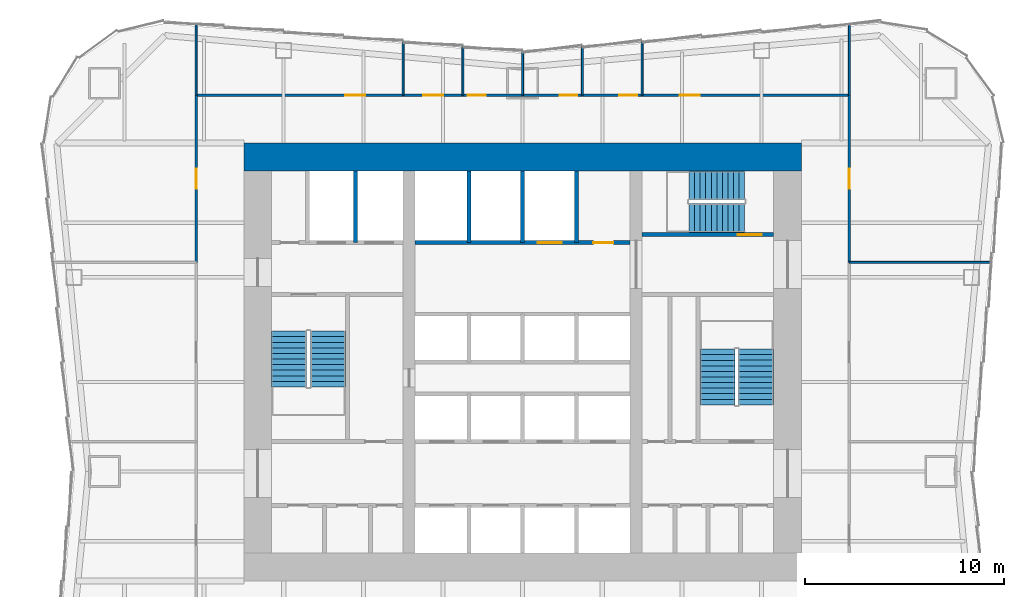
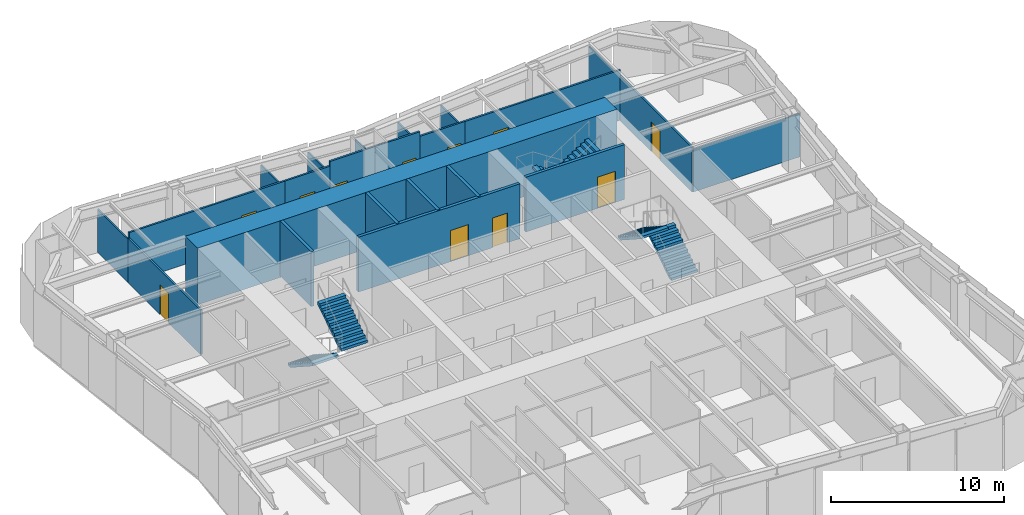
# One storey, part 6 of 8: 23 walls, 11 doors, 6 stair flights, 11 openings, 3 elements without a shape of their own.
"""IFC4 building model written with IfcOpenShell, lengths in metres."""

from ifc_helpers import new_model, si_unit, direction, frame, frame_2d, origin, place, context, subcontext, project, spatial, polyline, rectangle, outline, extrude, material, layer, layer_set, type_object, element, fill, aggregate, save


model = new_model("IFC4")

# Units and contexts
model_context = context("Model", 3, precision=1e-05, world=origin(), true_north=direction((0.0, 1.0)))
body_context = subcontext(model_context, "Body", "Model", "MODEL_VIEW")
ifc_project = project(units=[si_unit("LENGTHUNIT", "METRE"), si_unit("AREAUNIT", "SQUARE_METRE"), si_unit("VOLUMEUNIT", "CUBIC_METRE"), si_unit("PLANEANGLEUNIT", "RADIAN"), si_unit("MASSUNIT", "GRAM", prefix="KILO")], contexts=[model_context])

# Site, building, storey
site_placement = place(None, origin())
site = spatial("IfcSite", under=ifc_project, at=site_placement, CompositionType="ELEMENT")
building_placement = place(site_placement, origin())
building = spatial("IfcBuilding", under=site, at=building_placement, Name="Verdant Reach Tower", CompositionType="ELEMENT")
storey_placement = place(building_placement, frame((0.0, 0.0, 46.0)))
storey = spatial("IfcBuildingStorey", under=building, at=storey_placement, Name="L10", CompositionType="ELEMENT", Elevation=46.0)

# Wall, openings, doors
ifc_material_1 = material(Name="Concrete C40/50", Category="concrete")
ifc_layer_1 = layer(ifc_material_1, 0.199951171875)
ifc_layer_set_1 = layer_set([ifc_layer_1], Name="CO-WALL-SHAFT")
wall_type_1 = type_object("IfcWallType", Name="CO-WALL-SHAFT", PredefinedType="PARTITIONING", material=ifc_layer_set_1)
wall_1_placement = place(storey_placement, frame((-5.39990234375, 34.0, 0.0), z_axis=(0.0, 0.0, 1.0), x_axis=(1.0, 0.0, 0.0)))
wall_1 = element("IfcWall", 1, at=wall_1_placement, inside=storey, type_object=wall_type_1, Name="Lift shaft wall, L10", PredefinedType="PARTITIONING", context=body_context, shape_type="SweptSolid", body=[
    extrude(rectangle(XDim=10.7998046875, YDim=0.199951171875, at=frame_2d((5.39990234375, 0.0))), origin(), (0.0, 0.0, 1.0), 3.8701171875),
])
opening_1_placement = place(wall_1_placement, frame((6.14990234375, 0.0, 0.0)))
opening_1 = element("IfcOpeningElement", 2, at=opening_1_placement, cuts=wall_1, Name="Opening LD-SL1", PredefinedType="OPENING", context=body_context, shape_type="SweptSolid", body=[
    extrude(rectangle(XDim=1.199951171875, YDim=2.199951171875, at=frame_2d((0.60009765625, 1.10009765625))), frame((0.0, 0.10986328125, 0.0), z_axis=(0.0, -1.0, 0.0), x_axis=(1.0, 0.0, 0.0)), (0.0, 0.0, 1.0), 0.219970703125),
])
opening_2_placement = place(wall_1_placement, frame((8.949951171875, 0.0, 0.0)))
opening_2 = element("IfcOpeningElement", 3, at=opening_2_placement, cuts=wall_1, Name="Opening CD", PredefinedType="OPENING", context=body_context, shape_type="SweptSolid", body=[
    extrude(rectangle(XDim=1.0, YDim=2.10009765625, at=frame_2d((0.5, 1.050048828125))), frame((0.0, 0.10986328125, 0.0), z_axis=(0.0, -1.0, 0.0), x_axis=(1.0, 0.0, 0.0)), (0.0, 0.0, 1.0), 0.219970703125),
])
ifc_material_2 = material(Name="Stainless steel", Category="steel")
door_type_1 = type_object("IfcDoorType", Name="CO-DOOR-LANDING", OperationType="SLIDING_TO_LEFT", PredefinedType="DOOR", material=ifc_material_2)
door_1_placement = place(opening_1_placement, origin())
door_1 = element("IfcDoor", 4, at=door_1_placement, inside=storey, type_object=door_type_1, Name="Landing door SL1, L10", OperationType="SLIDING_TO_LEFT", OverallHeight=2.199951171875, OverallWidth=1.199951171875, PredefinedType="DOOR", context=body_context, shape_type="SweptSolid", body=[
    extrude(rectangle(XDim=1.199951171875, YDim=2.199951171875, at=frame_2d((0.60009765625, 1.10009765625))), frame((0.0, 0.02490234375, 0.0), z_axis=(0.0, -1.0, 0.0), x_axis=(1.0, 0.0, 0.0)), (0.0, 0.0, 1.0), 0.050048828125),
])
fill(opening_1, door_1)
ifc_material_3 = material(Name="Timber", Category="wood")
door_type_2 = type_object("IfcDoorType", Name="CO-DOOR-ROOM", OperationType="NOTDEFINED", PredefinedType="DOOR", material=ifc_material_3)
door_2_placement = place(opening_2_placement, origin())
door_2 = element("IfcDoor", 5, at=door_2_placement, inside=storey, type_object=door_type_2, Name="Core room door, L10", OperationType="SINGLE_SWING_LEFT", OverallHeight=2.10009765625, OverallWidth=1.0, PredefinedType="DOOR", context=body_context, shape_type="SweptSolid", body=[
    extrude(rectangle(XDim=1.0, YDim=2.10009765625, at=frame_2d((0.5, 1.050048828125))), frame((0.0, 0.02490234375, 0.0), z_axis=(0.0, -1.0, 0.0), x_axis=(1.0, 0.0, 0.0)), (0.0, 0.0, 1.0), 0.050048828125),
])
fill(opening_2, door_2)

# Walls
for number, where, z_axis, x_axis, name in (
    (6, (-8.39990234375, 34.0, 0.0), (0.0, 0.0, 1.0), (0.0, 1.0, 0.0), "Lift shaft wall, L10"),
    (7, (-2.699951171875, 34.0, 0.0), (0.0, 0.0, 1.0), (0.0, 1.0, 0.0), "Lift shaft wall, L10"),
    (8, (0.0, 34.0, 0.0), (0.0, 0.0, 1.0), (0.0, 1.0, 0.0), "Lift shaft wall, L10"),
    (9, (2.699951171875, 34.0, 0.0), (0.0, 0.0, 1.0), (0.0, 1.0, 0.0), "Lift shaft wall, L10"),
):
    element("IfcWall", number, at=place(storey_placement, frame(where, z_axis=z_axis, x_axis=x_axis)), inside=storey, type_object=wall_type_1, Name=name, PredefinedType="PARTITIONING", context=body_context, shape_type="SweptSolid", body=[
        extrude(rectangle(XDim=3.60009765625, YDim=0.199951171875, at=frame_2d((1.800048828125, 0.0))), origin(), (0.0, 0.0, 1.0), 3.8701171875),
    ])

# Wall, opening, door
ifc_layer_2 = layer(ifc_material_1, 0.199951171875)
ifc_layer_set_2 = layer_set([ifc_layer_2], Name="CO-WALL-STAIR")
wall_type_2 = type_object("IfcWallType", Name="CO-WALL-STAIR", PredefinedType="PARTITIONING", material=ifc_layer_set_2)
wall_2_placement = place(storey_placement, frame((6.0, 34.39990234375, 0.0), z_axis=(0.0, 0.0, 1.0), x_axis=(1.0, 0.0, 0.0)))
wall_2 = element("IfcWall", 10, at=wall_2_placement, inside=storey, type_object=wall_type_2, Name="Stair enclosure wall, L10", PredefinedType="PARTITIONING", context=body_context, shape_type="SweptSolid", body=[
    extrude(rectangle(XDim=6.60009765625, YDim=0.199951171875, at=frame_2d((3.300048828125, 0.0))), origin(), (0.0, 0.0, 1.0), 3.8701171875),
])
opening_3_placement = place(wall_2_placement, frame((4.800048828125, 0.0, 0.0)))
opening_3 = element("IfcOpeningElement", 11, at=opening_3_placement, cuts=wall_2, Name="Opening SD", PredefinedType="OPENING", context=body_context, shape_type="SweptSolid", body=[
    extrude(rectangle(XDim=1.199951171875, YDim=2.199951171875, at=frame_2d((0.60009765625, 1.10009765625))), frame((0.0, 0.10986328125, 0.0), z_axis=(0.0, -1.0, 0.0), x_axis=(1.0, 0.0, 0.0)), (0.0, 0.0, 1.0), 0.219970703125),
])
ifc_material_4 = material(Name="Steel", Category="steel")
door_type_3 = type_object("IfcDoorType", Name="CO-DOOR-STAIR", OperationType="NOTDEFINED", PredefinedType="DOOR", material=ifc_material_4)
door_3_placement = place(opening_3_placement, origin())
door_3 = element("IfcDoor", 12, at=door_3_placement, inside=storey, type_object=door_type_3, Name="Stair door, L10", OperationType="SINGLE_SWING_RIGHT", OverallHeight=2.199951171875, OverallWidth=1.199951171875, PredefinedType="DOOR", context=body_context, shape_type="SweptSolid", body=[
    extrude(rectangle(XDim=1.199951171875, YDim=2.199951171875, at=frame_2d((0.60009765625, 1.10009765625))), frame((0.0, 0.02490234375, 0.0), z_axis=(0.0, -1.0, 0.0), x_axis=(1.0, 0.0, 0.0)), (0.0, 0.0, 1.0), 0.050048828125),
])
fill(opening_3, door_3)

# Walls
ifc_material_5 = material(Name="Gypsum board on steel studs", Category="steel")
ifc_layer_3 = layer(ifc_material_5, 0.10009765625)
ifc_layer_set_3 = layer_set([ifc_layer_3], Name="FL-W1 Partition 100")
wall_type_3 = type_object("IfcWallType", Name="FL-W1 Partition 100", PredefinedType="PARTITIONING", material=ifc_layer_set_3)
wall_3_placement = place(storey_placement, frame((-6.0, 41.39990234375, 0.0), z_axis=(0.0, 0.0, 1.0), x_axis=(0.0, 1.0, 0.0)))
element("IfcWall", 13, at=wall_3_placement, inside=storey, type_object=wall_type_3, Name="Partition 10.37", PredefinedType="PARTITIONING", context=body_context, shape_type="SweptSolid", body=[
    extrude(rectangle(XDim=2.68017578125, YDim=0.10009765625, at=frame_2d((1.340087890625, 0.0))), origin(), (0.0, 0.0, 1.0), 3.0400390625),
])
wall_4_placement = place(storey_placement, frame((-16.39990234375, 44.94677734375, 0.0), z_axis=(0.0, 0.0, 1.0), x_axis=(0.0, -1.0, 0.0)))
element("IfcWall", 14, at=wall_4_placement, inside=storey, type_object=wall_type_3, Name="Partition 10.38", PredefinedType="PARTITIONING", context=body_context, shape_type="SweptSolid", body=[
    extrude(rectangle(XDim=3.55078125, YDim=0.10009765625, at=frame_2d((1.775390625, 0.0))), origin(), (0.0, 0.0, 1.0), 3.0400390625),
])
wall_5_placement = place(storey_placement, frame((-3.0, 41.39990234375, 0.0), z_axis=(0.0, 0.0, 1.0), x_axis=(0.0, 1.0, 0.0)))
element("IfcWall", 15, at=wall_5_placement, inside=storey, type_object=wall_type_3, Name="Partition 10.39", PredefinedType="PARTITIONING", context=body_context, shape_type="SweptSolid", body=[
    extrude(rectangle(XDim=2.43017578125, YDim=0.10009765625, at=frame_2d((1.215087890625, 0.0))), origin(), (0.0, 0.0, 1.0), 3.0400390625),
])
wall_6_placement = place(storey_placement, frame((0.0, 41.39990234375, 0.0), z_axis=(0.0, 0.0, 1.0), x_axis=(0.0, 1.0, 0.0)))
element("IfcWall", 16, at=wall_6_placement, inside=storey, type_object=wall_type_3, Name="Partition 10.40", PredefinedType="PARTITIONING", context=body_context, shape_type="SweptSolid", body=[
    extrude(rectangle(XDim=2.18017578125, YDim=0.10009765625, at=frame_2d((1.090087890625, 0.0))), origin(), (0.0, 0.0, 1.0), 3.0400390625),
])
wall_7_placement = place(storey_placement, frame((3.0, 41.39990234375, 0.0), z_axis=(0.0, 0.0, 1.0), x_axis=(0.0, 1.0, 0.0)))
element("IfcWall", 17, at=wall_7_placement, inside=storey, type_object=wall_type_3, Name="Partition 10.41", PredefinedType="PARTITIONING", context=body_context, shape_type="SweptSolid", body=[
    extrude(rectangle(XDim=2.43017578125, YDim=0.10009765625, at=frame_2d((1.215087890625, 0.0))), origin(), (0.0, 0.0, 1.0), 3.0400390625),
])
wall_8_placement = place(storey_placement, frame((6.0, 41.39990234375, 0.0), z_axis=(0.0, 0.0, 1.0), x_axis=(0.0, 1.0, 0.0)))
element("IfcWall", 18, at=wall_8_placement, inside=storey, type_object=wall_type_3, Name="Partition 10.42", PredefinedType="PARTITIONING", context=body_context, shape_type="SweptSolid", body=[
    extrude(rectangle(XDim=2.68017578125, YDim=0.10009765625, at=frame_2d((1.340087890625, 0.0))), origin(), (0.0, 0.0, 1.0), 3.0400390625),
])
wall_9_placement = place(storey_placement, frame((16.39990234375, 41.39599609375, 0.0), z_axis=(0.0, 0.0, 1.0), x_axis=(0.0, 1.0, 0.0)))
element("IfcWall", 19, at=wall_9_placement, inside=storey, type_object=wall_type_3, Name="Partition 10.43", PredefinedType="PARTITIONING", context=body_context, shape_type="SweptSolid", body=[
    extrude(rectangle(XDim=3.55078125, YDim=0.10009765625, at=frame_2d((1.775390625, 0.0))), origin(), (0.0, 0.0, 1.0), 3.0400390625),
])
wall_10_placement = place(storey_placement, frame((23.534423828125, 33.0, 0.0), z_axis=(0.0, 0.0, 1.0), x_axis=(-1.0, 0.0, 0.0)))
element("IfcWall", 20, at=wall_10_placement, inside=storey, type_object=wall_type_3, Name="Partition 10.47", PredefinedType="PARTITIONING", context=body_context, shape_type="SweptSolid", body=[
    extrude(rectangle(XDim=7.134521484375, YDim=0.10009765625, at=frame_2d((3.5673828125, 0.0))), origin(), (0.0, 0.0, 1.0), 3.0400390625),
])

# Wall, opening, door
ifc_material_6 = material(Name="Gypsum board on steel studs, fire rated", Category="steel")
ifc_layer_4 = layer(ifc_material_6, 0.125)
ifc_layer_set_4 = layer_set([ifc_layer_4], Name="FL-W2 Corridor wall 125")
wall_type_4 = type_object("IfcWallType", Name="FL-W2 Corridor wall 125", PredefinedType="PARTITIONING", material=ifc_layer_set_4)
wall_11_placement = place(storey_placement, frame((-16.39990234375, 41.39990234375, 0.0), z_axis=(0.0, 0.0, 1.0), x_axis=(1.0, 0.0, 0.0)))
wall_11 = element("IfcWall", 21, at=wall_11_placement, inside=storey, type_object=wall_type_4, Name="Partition 10.07", PredefinedType="PARTITIONING", context=body_context, shape_type="SweptSolid", body=[
    extrude(rectangle(XDim=10.39990234375, YDim=0.125, at=frame_2d((5.199951171875, 0.0))), origin(), (0.0, 0.0, 1.0), 3.5400390625),
])
opening_4_placement = place(wall_11_placement, frame((7.5, 0.0, 0.0)))
opening_4 = element("IfcOpeningElement", 22, at=opening_4_placement, cuts=wall_11, Name="Opening D2", PredefinedType="OPENING", context=body_context, shape_type="SweptSolid", body=[
    extrude(rectangle(XDim=1.0, YDim=2.10009765625, at=frame_2d((0.5, 1.050048828125))), frame((0.0, 0.072509765625, 0.0), z_axis=(0.0, -1.0, 0.0), x_axis=(1.0, 0.0, 0.0)), (0.0, 0.0, 1.0), 0.14501953125),
])
ifc_material_7 = material(Name="Timber door leaf, fire rated", Category="wood")
door_type_4 = type_object("IfcDoorType", Name="FL-D2 Entrance door 1000x2100 FD30", OperationType="NOTDEFINED", PredefinedType="DOOR", material=ifc_material_7)
door_4_placement = place(opening_4_placement, origin())
door_4 = element("IfcDoor", 23, at=door_4_placement, inside=storey, type_object=door_type_4, Name="Door 10-005", OperationType="SINGLE_SWING_RIGHT", OverallHeight=2.10009765625, OverallWidth=1.0, PredefinedType="DOOR", context=body_context, shape_type="SweptSolid", body=[
    extrude(rectangle(XDim=1.0, YDim=2.10009765625, at=frame_2d((0.5, 1.050048828125))), frame((0.0, 0.02490234375, 0.0), z_axis=(0.0, -1.0, 0.0), x_axis=(1.0, 0.0, 0.0)), (0.0, 0.0, 1.0), 0.050048828125),
])
fill(opening_4, door_4)

wall_12_placement = place(storey_placement, frame((-6.0, 41.39990234375, 0.0), z_axis=(0.0, 0.0, 1.0), x_axis=(1.0, 0.0, 0.0)))
wall_12 = element("IfcWall", 24, at=wall_12_placement, inside=storey, type_object=wall_type_4, Name="Partition 10.08", PredefinedType="PARTITIONING", context=body_context, shape_type="SweptSolid", body=[
    extrude(rectangle(XDim=3.0, YDim=0.125, at=frame_2d((1.5, 0.0))), origin(), (0.0, 0.0, 1.0), 3.5400390625),
])
opening_5_placement = place(wall_12_placement, frame((1.0, 0.0, 0.0)))
opening_5 = element("IfcOpeningElement", 25, at=opening_5_placement, cuts=wall_12, Name="Opening D2", PredefinedType="OPENING", context=body_context, shape_type="SweptSolid", body=[
    extrude(rectangle(XDim=1.0, YDim=2.10009765625, at=frame_2d((0.5, 1.050048828125))), frame((0.0, 0.072509765625, 0.0), z_axis=(0.0, -1.0, 0.0), x_axis=(1.0, 0.0, 0.0)), (0.0, 0.0, 1.0), 0.14501953125),
])
door_5_placement = place(opening_5_placement, origin())
door_5 = element("IfcDoor", 26, at=door_5_placement, inside=storey, type_object=door_type_4, Name="Door 10-006", OperationType="SINGLE_SWING_RIGHT", OverallHeight=2.10009765625, OverallWidth=1.0, PredefinedType="DOOR", context=body_context, shape_type="SweptSolid", body=[
    extrude(rectangle(XDim=1.0, YDim=2.10009765625, at=frame_2d((0.5, 1.050048828125))), frame((0.0, 0.02490234375, 0.0), z_axis=(0.0, -1.0, 0.0), x_axis=(1.0, 0.0, 0.0)), (0.0, 0.0, 1.0), 0.050048828125),
])
fill(opening_5, door_5)

wall_13_placement = place(storey_placement, frame((-3.0, 41.39990234375, 0.0), z_axis=(0.0, 0.0, 1.0), x_axis=(1.0, 0.0, 0.0)))
wall_13 = element("IfcWall", 27, at=wall_13_placement, inside=storey, type_object=wall_type_4, Name="Partition 10.09", PredefinedType="PARTITIONING", context=body_context, shape_type="SweptSolid", body=[
    extrude(rectangle(XDim=3.0, YDim=0.125, at=frame_2d((1.5, 0.0))), origin(), (0.0, 0.0, 1.0), 3.8701171875),
])
opening_6_placement = place(wall_13_placement, frame((0.25, 0.0, 0.0)))
opening_6 = element("IfcOpeningElement", 28, at=opening_6_placement, cuts=wall_13, Name="Opening D1", PredefinedType="OPENING", context=body_context, shape_type="SweptSolid", body=[
    extrude(rectangle(XDim=0.89990234375, YDim=2.10009765625, at=frame_2d((0.449951171875, 1.050048828125))), frame((0.0, 0.072509765625, 0.0), z_axis=(0.0, -1.0, 0.0), x_axis=(1.0, 0.0, 0.0)), (0.0, 0.0, 1.0), 0.14501953125),
])
ifc_material_8 = material(Name="Painted timber door leaf", Category="wood")
door_type_5 = type_object("IfcDoorType", Name="FL-D1 Door 900x2100", OperationType="NOTDEFINED", PredefinedType="DOOR", material=ifc_material_8)
door_6_placement = place(opening_6_placement, origin())
door_6 = element("IfcDoor", 29, at=door_6_placement, inside=storey, type_object=door_type_5, Name="Door 10-007", OperationType="SINGLE_SWING_LEFT", OverallHeight=2.10009765625, OverallWidth=0.89990234375, PredefinedType="DOOR", context=body_context, shape_type="SweptSolid", body=[
    extrude(rectangle(XDim=0.89990234375, YDim=2.10009765625, at=frame_2d((0.449951171875, 1.050048828125))), frame((0.0, 0.02490234375, 0.0), z_axis=(0.0, -1.0, 0.0), x_axis=(1.0, 0.0, 0.0)), (0.0, 0.0, 1.0), 0.050048828125),
])
fill(opening_6, door_6)

wall_14_placement = place(storey_placement, frame((0.0, 41.39990234375, 0.0), z_axis=(0.0, 0.0, 1.0), x_axis=(1.0, 0.0, 0.0)))
wall_14 = element("IfcWall", 30, at=wall_14_placement, inside=storey, type_object=wall_type_4, Name="Partition 10.10", PredefinedType="PARTITIONING", context=body_context, shape_type="SweptSolid", body=[
    extrude(rectangle(XDim=3.0, YDim=0.125, at=frame_2d((1.5, 0.0))), origin(), (0.0, 0.0, 1.0), 3.8701171875),
])
opening_7_placement = place(wall_14_placement, frame((1.85009765625, 0.0, 0.0)))
opening_7 = element("IfcOpeningElement", 31, at=opening_7_placement, cuts=wall_14, Name="Opening D1", PredefinedType="OPENING", context=body_context, shape_type="SweptSolid", body=[
    extrude(rectangle(XDim=0.89990234375, YDim=2.10009765625, at=frame_2d((0.449951171875, 1.050048828125))), frame((0.0, 0.072509765625, 0.0), z_axis=(0.0, -1.0, 0.0), x_axis=(1.0, 0.0, 0.0)), (0.0, 0.0, 1.0), 0.14501953125),
])
door_7_placement = place(opening_7_placement, origin())
door_7 = element("IfcDoor", 32, at=door_7_placement, inside=storey, type_object=door_type_5, Name="Door 10-008", OperationType="SINGLE_SWING_RIGHT", OverallHeight=2.10009765625, OverallWidth=0.89990234375, PredefinedType="DOOR", context=body_context, shape_type="SweptSolid", body=[
    extrude(rectangle(XDim=0.89990234375, YDim=2.10009765625, at=frame_2d((0.449951171875, 1.050048828125))), frame((0.0, 0.02490234375, 0.0), z_axis=(0.0, -1.0, 0.0), x_axis=(1.0, 0.0, 0.0)), (0.0, 0.0, 1.0), 0.050048828125),
])
fill(opening_7, door_7)

wall_15_placement = place(storey_placement, frame((3.0, 41.39990234375, 0.0), z_axis=(0.0, 0.0, 1.0), x_axis=(1.0, 0.0, 0.0)))
wall_15 = element("IfcWall", 33, at=wall_15_placement, inside=storey, type_object=wall_type_4, Name="Partition 10.11", PredefinedType="PARTITIONING", context=body_context, shape_type="SweptSolid", body=[
    extrude(rectangle(XDim=3.0, YDim=0.125, at=frame_2d((1.5, 0.0))), origin(), (0.0, 0.0, 1.0), 3.5400390625),
])
opening_8_placement = place(wall_15_placement, frame((1.85009765625, 0.0, 0.0)))
opening_8 = element("IfcOpeningElement", 34, at=opening_8_placement, cuts=wall_15, Name="Opening D1", PredefinedType="OPENING", context=body_context, shape_type="SweptSolid", body=[
    extrude(rectangle(XDim=0.89990234375, YDim=2.10009765625, at=frame_2d((0.449951171875, 1.050048828125))), frame((0.0, 0.072509765625, 0.0), z_axis=(0.0, -1.0, 0.0), x_axis=(1.0, 0.0, 0.0)), (0.0, 0.0, 1.0), 0.14501953125),
])
door_8_placement = place(opening_8_placement, origin())
door_8 = element("IfcDoor", 35, at=door_8_placement, inside=storey, type_object=door_type_5, Name="Door 10-009", OperationType="SINGLE_SWING_RIGHT", OverallHeight=2.10009765625, OverallWidth=0.89990234375, PredefinedType="DOOR", context=body_context, shape_type="SweptSolid", body=[
    extrude(rectangle(XDim=0.89990234375, YDim=2.10009765625, at=frame_2d((0.449951171875, 1.050048828125))), frame((0.0, 0.02490234375, 0.0), z_axis=(0.0, -1.0, 0.0), x_axis=(1.0, 0.0, 0.0)), (0.0, 0.0, 1.0), 0.050048828125),
])
fill(opening_8, door_8)

wall_16_placement = place(storey_placement, frame((6.0, 41.39990234375, 0.0), z_axis=(0.0, 0.0, 1.0), x_axis=(1.0, 0.0, 0.0)))
wall_16 = element("IfcWall", 36, at=wall_16_placement, inside=storey, type_object=wall_type_4, Name="Partition 10.12", PredefinedType="PARTITIONING", context=body_context, shape_type="SweptSolid", body=[
    extrude(rectangle(XDim=10.39990234375, YDim=0.125, at=frame_2d((5.199951171875, 0.0))), origin(), (0.0, 0.0, 1.0), 3.5400390625),
])
opening_9_placement = place(wall_16_placement, frame((1.89990234375, 0.0, 0.0)))
opening_9 = element("IfcOpeningElement", 37, at=opening_9_placement, cuts=wall_16, Name="Opening D2", PredefinedType="OPENING", context=body_context, shape_type="SweptSolid", body=[
    extrude(rectangle(XDim=1.0, YDim=2.10009765625, at=frame_2d((0.5, 1.050048828125))), frame((0.0, 0.072509765625, 0.0), z_axis=(0.0, -1.0, 0.0), x_axis=(1.0, 0.0, 0.0)), (0.0, 0.0, 1.0), 0.14501953125),
])
door_9_placement = place(opening_9_placement, origin())
door_9 = element("IfcDoor", 38, at=door_9_placement, inside=storey, type_object=door_type_4, Name="Door 10-010", OperationType="SINGLE_SWING_LEFT", OverallHeight=2.10009765625, OverallWidth=1.0, PredefinedType="DOOR", context=body_context, shape_type="SweptSolid", body=[
    extrude(rectangle(XDim=1.0, YDim=2.10009765625, at=frame_2d((0.5, 1.050048828125))), frame((0.0, 0.02490234375, 0.0), z_axis=(0.0, -1.0, 0.0), x_axis=(1.0, 0.0, 0.0)), (0.0, 0.0, 1.0), 0.050048828125),
])
fill(opening_9, door_9)

wall_17_placement = place(storey_placement, frame((-16.39990234375, 33.0, 0.0), z_axis=(0.0, 0.0, 1.0), x_axis=(0.0, 1.0, 0.0)))
wall_17 = element("IfcWall", 39, at=wall_17_placement, inside=storey, type_object=wall_type_4, Name="Partition 10.15", PredefinedType="PARTITIONING", context=body_context, shape_type="SweptSolid", body=[
    extrude(rectangle(XDim=8.404052734375, YDim=0.125, at=frame_2d((4.2021484375, 0.0))), origin(), (0.0, 0.0, 1.0), 3.139892578125),
])
opening_10_placement = place(wall_17_placement, frame((3.701904296875, 0.0, 0.0)))
opening_10 = element("IfcOpeningElement", 40, at=opening_10_placement, cuts=wall_17, Name="Opening D2", PredefinedType="OPENING", context=body_context, shape_type="SweptSolid", body=[
    extrude(rectangle(XDim=1.0, YDim=2.10009765625, at=frame_2d((0.5, 1.050048828125))), frame((0.0, 0.072509765625, 0.0), z_axis=(0.0, -1.0, 0.0), x_axis=(1.0, 0.0, 0.0)), (0.0, 0.0, 1.0), 0.14501953125),
])
door_10_placement = place(opening_10_placement, origin())
door_10 = element("IfcDoor", 41, at=door_10_placement, inside=storey, type_object=door_type_4, Name="Door 10-013", OperationType="SINGLE_SWING_LEFT", OverallHeight=2.10009765625, OverallWidth=1.0, PredefinedType="DOOR", context=body_context, shape_type="SweptSolid", body=[
    extrude(rectangle(XDim=1.0, YDim=2.10009765625, at=frame_2d((0.5, 1.050048828125))), frame((0.0, 0.02490234375, 0.0), z_axis=(0.0, -1.0, 0.0), x_axis=(1.0, 0.0, 0.0)), (0.0, 0.0, 1.0), 0.050048828125),
])
fill(opening_10, door_10)

wall_18_placement = place(storey_placement, frame((16.39990234375, 41.404052734375, 0.0), z_axis=(0.0, 0.0, 1.0), x_axis=(0.0, -1.0, 0.0)))
wall_18 = element("IfcWall", 42, at=wall_18_placement, inside=storey, type_object=wall_type_4, Name="Partition 10.18", PredefinedType="PARTITIONING", context=body_context, shape_type="SweptSolid", body=[
    extrude(rectangle(XDim=8.404052734375, YDim=0.125, at=frame_2d((4.2021484375, 0.0))), origin(), (0.0, 0.0, 1.0), 3.139892578125),
])
opening_11_placement = place(wall_18_placement, frame((3.701904296875, 0.0, 0.0)))
opening_11 = element("IfcOpeningElement", 43, at=opening_11_placement, cuts=wall_18, Name="Opening D2", PredefinedType="OPENING", context=body_context, shape_type="SweptSolid", body=[
    extrude(rectangle(XDim=1.0, YDim=2.10009765625, at=frame_2d((0.5, 1.050048828125))), frame((0.0, 0.072509765625, 0.0), z_axis=(0.0, -1.0, 0.0), x_axis=(1.0, 0.0, 0.0)), (0.0, 0.0, 1.0), 0.14501953125),
])
door_11_placement = place(opening_11_placement, origin())
door_11 = element("IfcDoor", 44, at=door_11_placement, inside=storey, type_object=door_type_4, Name="Door 10-016", OperationType="SINGLE_SWING_RIGHT", OverallHeight=2.10009765625, OverallWidth=1.0, PredefinedType="DOOR", context=body_context, shape_type="SweptSolid", body=[
    extrude(rectangle(XDim=1.0, YDim=2.10009765625, at=frame_2d((0.5, 1.050048828125))), frame((0.0, 0.02490234375, 0.0), z_axis=(0.0, -1.0, 0.0), x_axis=(1.0, 0.0, 0.0)), (0.0, 0.0, 1.0), 0.050048828125),
])
fill(opening_11, door_11)

# Wall
ifc_material_9 = material(Name="Concrete C70/85", Category="concrete")
ifc_layer_5 = layer(ifc_material_9, 1.39990234375)
ifc_layer_set_5 = layer_set([ifc_layer_5], Name="ST-CORE-WALL-1400")
wall_type_5 = type_object("IfcWallType", Name="ST-CORE-WALL-1400", PredefinedType="SHEAR", material=ifc_layer_set_5)
wall_19_placement = place(storey_placement, frame((-14.0, 38.300048828125, -0.1298828125), z_axis=(0.0, 0.0, 1.0), x_axis=(1.0, 0.0, 0.0)))
element("IfcWall", 45, at=wall_19_placement, inside=storey, type_object=wall_type_5, Name="Core wall N, L10", PredefinedType="SHEAR", context=body_context, shape_type="SweptSolid", body=[
    extrude(rectangle(XDim=28.0, YDim=1.39990234375, at=frame_2d((14.0, 0.0))), origin(), (0.0, 0.0, 1.0), 4.0),
])

# Stair, stair flights
stair_type = type_object("IfcStairType", Name="CO-STAIR", PredefinedType="HALF_TURN_STAIR", material=ifc_material_1)
stair_1_placement = place(storey_placement, origin())
stair_1 = element("IfcStair", 46, at=stair_1_placement, inside=storey, type_object=stair_type, Name="L10 Exit stair 1", PredefinedType="HALF_TURN_STAIR")
stair_flight_type = type_object("IfcStairFlightType", Name="CO-STAIR-FLIGHT", PredefinedType="STRAIGHT", material=ifc_material_1)
stair_flight_1_placement = place(storey_placement, frame((-11.72509765625, 29.550048828125, 0.0), z_axis=(0.0, 0.0, 1.0), x_axis=(0.0, -1.0, 0.0)))
stair_flight_1 = element("IfcStairFlight", 47, at=stair_flight_1_placement, type_object=stair_flight_type, Name="ST-1 flight 1", NumberOfRisers=11, NumberOfTreads=10, PredefinedType="STRAIGHT", RiserHeight=0.181818182, TreadLength=0.28, context=body_context, shape_type="SweptSolid", body=[
    extrude(outline(polyline([(0.0, 0.0), (0.0, 0.181884765625), (0.280029296875, 0.181884765625), (0.280029296875, 0.363525390625), (0.56005859375, 0.363525390625), (0.56005859375, 0.54541015625), (0.840087890625, 0.54541015625), (0.840087890625, 0.727294921875), (1.1201171875, 0.727294921875), (1.1201171875, 0.9091796875), (1.39990234375, 0.9091796875), (1.39990234375, 1.0908203125), (1.679931640625, 1.0908203125), (1.679931640625, 1.272705078125), (1.9599609375, 1.272705078125), (1.9599609375, 1.45458984375), (2.239990234375, 1.45458984375), (2.239990234375, 1.636474609375), (2.52001953125, 1.636474609375), (2.52001953125, 1.818115234375), (2.800048828125, 1.818115234375), (2.800048828125, 2.0), (2.800048828125, 1.639404296875), (0.275146484375, 0.0), (0.0, 0.0)])), frame((0.0, 0.875, 0.0), z_axis=(0.0, -1.0, 0.0), x_axis=(1.0, 0.0, 0.0)), (0.0, 0.0, 1.0), 1.75),
])
stair_flight_2_placement = place(storey_placement, frame((-9.77490234375, 26.75, 2.0), z_axis=(0.0, 0.0, 1.0), x_axis=(0.0, 1.0, 0.0)))
stair_flight_2 = element("IfcStairFlight", 48, at=stair_flight_2_placement, type_object=stair_flight_type, Name="ST-1 flight 2", NumberOfRisers=11, NumberOfTreads=10, PredefinedType="STRAIGHT", RiserHeight=0.181818182, TreadLength=0.28, context=body_context, shape_type="SweptSolid", body=[
    extrude(outline(polyline([(0.0, 0.0), (0.0, 0.181884765625), (0.280029296875, 0.181884765625), (0.280029296875, 0.363525390625), (0.56005859375, 0.363525390625), (0.56005859375, 0.54541015625), (0.840087890625, 0.54541015625), (0.840087890625, 0.727294921875), (1.1201171875, 0.727294921875), (1.1201171875, 0.9091796875), (1.39990234375, 0.9091796875), (1.39990234375, 1.0908203125), (1.679931640625, 1.0908203125), (1.679931640625, 1.272705078125), (1.9599609375, 1.272705078125), (1.9599609375, 1.45458984375), (2.239990234375, 1.45458984375), (2.239990234375, 1.636474609375), (2.52001953125, 1.636474609375), (2.52001953125, 1.818115234375), (2.800048828125, 1.818115234375), (2.800048828125, 2.0), (2.800048828125, 1.639404296875), (0.275146484375, 0.0), (0.0, 0.0)])), frame((0.0, 0.875, 0.0), z_axis=(0.0, -1.0, 0.0), x_axis=(1.0, 0.0, 0.0)), (0.0, 0.0, 1.0), 1.75),
])
aggregate(stair_1, [stair_flight_1, stair_flight_2])

stair_2_placement = place(storey_placement, origin())
stair_2 = element("IfcStair", 49, at=stair_2_placement, inside=storey, type_object=stair_type, Name="L10 Exit stair 2", PredefinedType="HALF_TURN_STAIR")
stair_flight_3_placement = place(storey_placement, frame((11.72509765625, 25.85009765625, 0.0), z_axis=(0.0, 0.0, 1.0), x_axis=(0.0, 1.0, 0.0)))
stair_flight_3 = element("IfcStairFlight", 50, at=stair_flight_3_placement, type_object=stair_flight_type, Name="ST-2 flight 1", NumberOfRisers=11, NumberOfTreads=10, PredefinedType="STRAIGHT", RiserHeight=0.181818182, TreadLength=0.28, context=body_context, shape_type="SweptSolid", body=[
    extrude(outline(polyline([(0.0, 0.0), (0.0, 0.181884765625), (0.280029296875, 0.181884765625), (0.280029296875, 0.363525390625), (0.56005859375, 0.363525390625), (0.56005859375, 0.54541015625), (0.840087890625, 0.54541015625), (0.840087890625, 0.727294921875), (1.1201171875, 0.727294921875), (1.1201171875, 0.9091796875), (1.39990234375, 0.9091796875), (1.39990234375, 1.0908203125), (1.679931640625, 1.0908203125), (1.679931640625, 1.272705078125), (1.9599609375, 1.272705078125), (1.9599609375, 1.45458984375), (2.239990234375, 1.45458984375), (2.239990234375, 1.636474609375), (2.52001953125, 1.636474609375), (2.52001953125, 1.818115234375), (2.800048828125, 1.818115234375), (2.800048828125, 2.0), (2.800048828125, 1.639404296875), (0.275146484375, 0.0), (0.0, 0.0)])), frame((0.0, 0.875, 0.0), z_axis=(0.0, -1.0, 0.0), x_axis=(1.0, 0.0, 0.0)), (0.0, 0.0, 1.0), 1.75),
])
stair_flight_4_placement = place(storey_placement, frame((9.77490234375, 28.64990234375, 2.0), z_axis=(0.0, 0.0, 1.0), x_axis=(0.0, -1.0, 0.0)))
stair_flight_4 = element("IfcStairFlight", 51, at=stair_flight_4_placement, type_object=stair_flight_type, Name="ST-2 flight 2", NumberOfRisers=11, NumberOfTreads=10, PredefinedType="STRAIGHT", RiserHeight=0.181818182, TreadLength=0.28, context=body_context, shape_type="SweptSolid", body=[
    extrude(outline(polyline([(0.0, 0.0), (0.0, 0.181884765625), (0.280029296875, 0.181884765625), (0.280029296875, 0.363525390625), (0.56005859375, 0.363525390625), (0.56005859375, 0.54541015625), (0.840087890625, 0.54541015625), (0.840087890625, 0.727294921875), (1.1201171875, 0.727294921875), (1.1201171875, 0.9091796875), (1.39990234375, 0.9091796875), (1.39990234375, 1.0908203125), (1.679931640625, 1.0908203125), (1.679931640625, 1.272705078125), (1.9599609375, 1.272705078125), (1.9599609375, 1.45458984375), (2.239990234375, 1.45458984375), (2.239990234375, 1.636474609375), (2.52001953125, 1.636474609375), (2.52001953125, 1.818115234375), (2.800048828125, 1.818115234375), (2.800048828125, 2.0), (2.800048828125, 1.639404296875), (0.275146484375, 0.0), (0.0, 0.0)])), frame((0.0, 0.875, 0.0), z_axis=(0.0, -1.0, 0.0), x_axis=(1.0, 0.0, 0.0)), (0.0, 0.0, 1.0), 1.75),
])
aggregate(stair_2, [stair_flight_3, stair_flight_4])

stair_3_placement = place(storey_placement, origin())
stair_3 = element("IfcStair", 52, at=stair_3_placement, inside=storey, type_object=stair_type, Name="L10 Exit stair 3", PredefinedType="HALF_TURN_STAIR")
stair_flight_5_placement = place(storey_placement, frame((11.14990234375, 36.875, 0.0), z_axis=(0.0, 0.0, 1.0), x_axis=(-1.0, 0.0, 0.0)))
stair_flight_5 = element("IfcStairFlight", 53, at=stair_flight_5_placement, type_object=stair_flight_type, Name="ST-3 flight 1", NumberOfRisers=11, NumberOfTreads=10, PredefinedType="STRAIGHT", RiserHeight=0.181818182, TreadLength=0.28, context=body_context, shape_type="SweptSolid", body=[
    extrude(outline(polyline([(0.0, 0.0), (0.0, 0.181884765625), (0.280029296875, 0.181884765625), (0.280029296875, 0.363525390625), (0.56005859375, 0.363525390625), (0.56005859375, 0.54541015625), (0.840087890625, 0.54541015625), (0.840087890625, 0.727294921875), (1.1201171875, 0.727294921875), (1.1201171875, 0.9091796875), (1.39990234375, 0.9091796875), (1.39990234375, 1.0908203125), (1.679931640625, 1.0908203125), (1.679931640625, 1.272705078125), (1.9599609375, 1.272705078125), (1.9599609375, 1.45458984375), (2.239990234375, 1.45458984375), (2.239990234375, 1.636474609375), (2.52001953125, 1.636474609375), (2.52001953125, 1.818115234375), (2.800048828125, 1.818115234375), (2.800048828125, 2.0), (2.800048828125, 1.639404296875), (0.275146484375, 0.0), (0.0, 0.0)])), frame((0.0, 0.72509765625, 0.0), z_axis=(0.0, -1.0, 0.0), x_axis=(1.0, 0.0, 0.0)), (0.0, 0.0, 1.0), 1.449951171875),
])
stair_flight_6_placement = place(storey_placement, frame((8.35009765625, 35.22509765625, 2.0), z_axis=(0.0, 0.0, 1.0), x_axis=(1.0, 0.0, 0.0)))
stair_flight_6 = element("IfcStairFlight", 54, at=stair_flight_6_placement, type_object=stair_flight_type, Name="ST-3 flight 2", NumberOfRisers=11, NumberOfTreads=10, PredefinedType="STRAIGHT", RiserHeight=0.181818182, TreadLength=0.28, context=body_context, shape_type="SweptSolid", body=[
    extrude(outline(polyline([(0.0, 0.0), (0.0, 0.181884765625), (0.280029296875, 0.181884765625), (0.280029296875, 0.363525390625), (0.56005859375, 0.363525390625), (0.56005859375, 0.54541015625), (0.840087890625, 0.54541015625), (0.840087890625, 0.727294921875), (1.1201171875, 0.727294921875), (1.1201171875, 0.9091796875), (1.39990234375, 0.9091796875), (1.39990234375, 1.0908203125), (1.679931640625, 1.0908203125), (1.679931640625, 1.272705078125), (1.9599609375, 1.272705078125), (1.9599609375, 1.45458984375), (2.239990234375, 1.45458984375), (2.239990234375, 1.636474609375), (2.52001953125, 1.636474609375), (2.52001953125, 1.818115234375), (2.800048828125, 1.818115234375), (2.800048828125, 2.0), (2.800048828125, 1.639404296875), (0.275146484375, 0.0), (0.0, 0.0)])), frame((0.0, 0.72509765625, 0.0), z_axis=(0.0, -1.0, 0.0), x_axis=(1.0, 0.0, 0.0)), (0.0, 0.0, 1.0), 1.449951171875),
])
aggregate(stair_3, [stair_flight_5, stair_flight_6])

save(model, "model.ifc")
